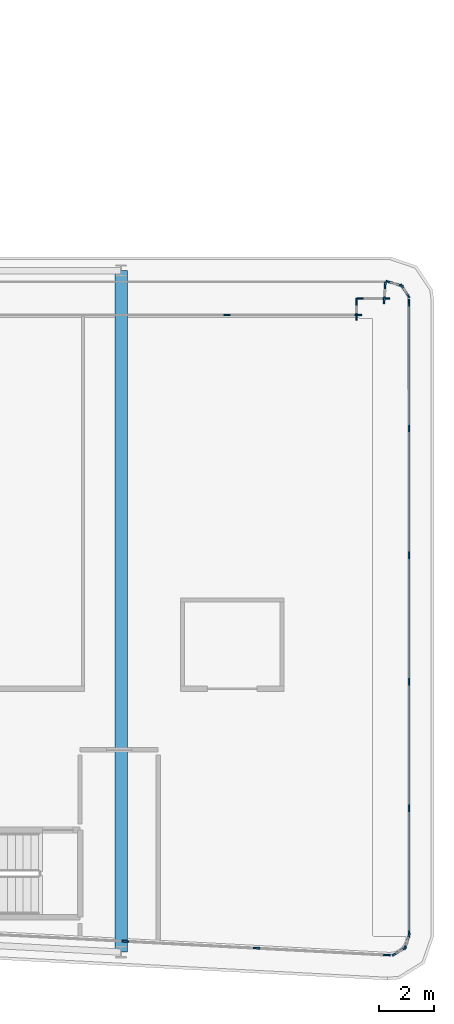
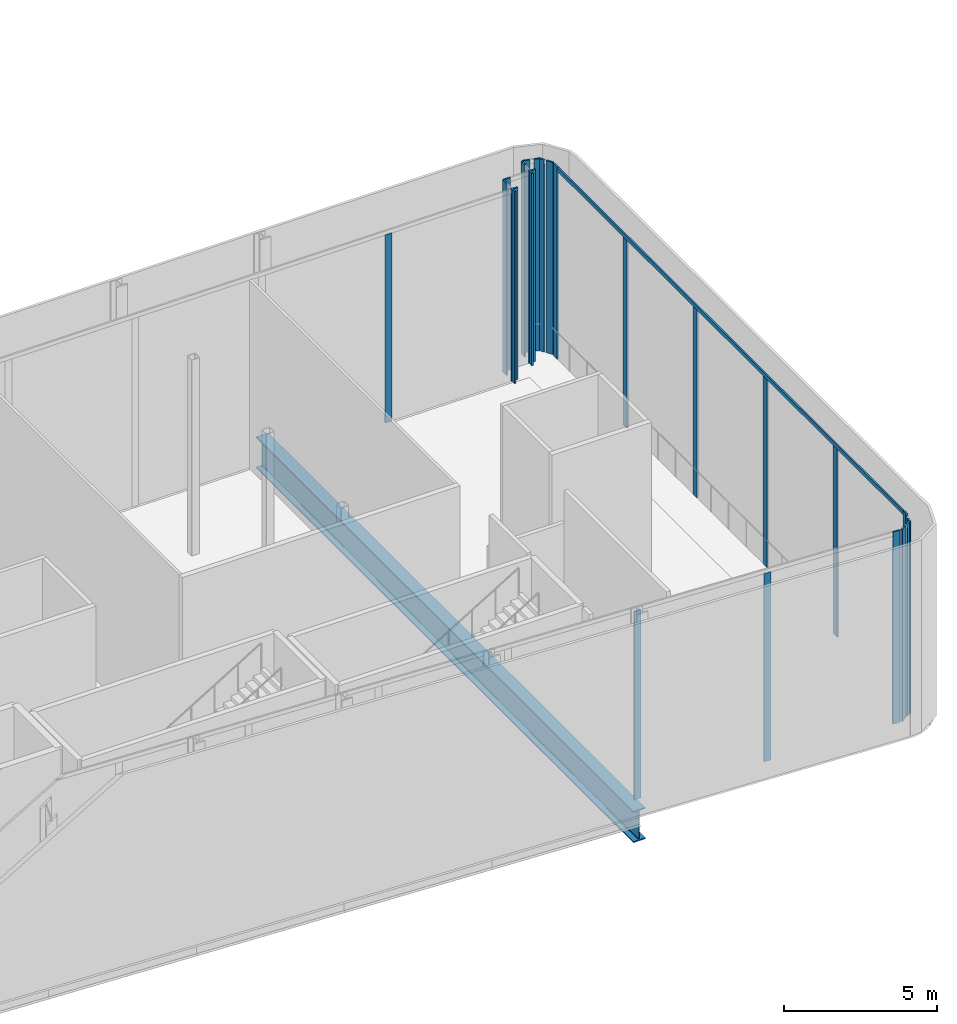
# One storey, part 17 of 37: 26 members, 1 beam, 10 elements without a shape of their own.
"""IFC4 building model written with IfcOpenShell, lengths in metres."""

from ifc_helpers import new_model, si_unit, direction, frame, origin, origin_2d, place, context, subcontext, project, spatial, rectangle, i_section, extrude, material, layer, layer_set, material_profile, profile_set, type_object, element, aggregate, save


model = new_model("IFC4")

# Units and contexts
model_context = context("Model", 3, precision=1e-05, world=origin(), true_north=direction((0.0, 1.0)))
body_context = subcontext(model_context, "Body", "Model", "MODEL_VIEW")
ifc_project = project(units=[si_unit("LENGTHUNIT", "METRE"), si_unit("AREAUNIT", "SQUARE_METRE"), si_unit("VOLUMEUNIT", "CUBIC_METRE"), si_unit("PLANEANGLEUNIT", "RADIAN"), si_unit("MASSUNIT", "GRAM", prefix="KILO")], contexts=[model_context])

# Site, building, storey
site_placement = place(None, origin())
site = spatial("IfcSite", under=ifc_project, at=site_placement, CompositionType="ELEMENT")
building_placement = place(site_placement, origin())
building = spatial("IfcBuilding", under=site, at=building_placement, Name="Kheshtan School and Residences Tower", CompositionType="ELEMENT")
storey_placement = place(building_placement, frame((0.0, 0.0, 144.800048828125)))
storey = spatial("IfcBuildingStorey", under=building, at=storey_placement, Name="L34", CompositionType="ELEMENT", Elevation=144.800048828125)

# Curtain wall, members
ifc_material_1 = material(Name="Clear low-e glass in thermally broken aluminium frame", Category="aluminium")
ifc_layer_1 = layer(ifc_material_1, 0.25)
ifc_layer_set_1 = layer_set([ifc_layer_1], Name="Curtain wall CW-G")
curtain_wall_type_1 = type_object("IfcCurtainWallType", Name="Curtain wall CW-G", PredefinedType="NOTDEFINED", material=ifc_layer_set_1)
curtain_wall_1_placement = place(storey_placement, origin())
curtain_wall_1 = element("IfcCurtainWall", 1, at=curtain_wall_1_placement, inside=storey, type_object=curtain_wall_type_1, Name="Curtain wall CWG5a", PredefinedType="NOTDEFINED")
ifc_material_2 = material(Name="Thermally broken aluminium, dark bronze anodised", Category="aluminium")
ifc_material_profile_1 = material_profile(ifc_material_2, rectangle(XDim=0.06005859375, YDim=0.25, at=origin_2d()), Name="CW-G mullion 60x250")
ifc_profile_set_1 = profile_set([ifc_material_profile_1], Name="Thermally broken aluminium, dark bronze anodised")
member_type_1 = type_object("IfcMemberType", Name="CW-G mullion 60x250", PredefinedType="MULLION", material=ifc_profile_set_1)
member_1_placement = place(storey_placement, frame((94.6259765625, 44.0, 0.0), z_axis=(0.0, 0.0, 1.0), x_axis=(0.0, 1.0, 0.0)))
member_1 = element("IfcMember", 2, at=member_1_placement, type_object=member_type_1, Name="CWG5a mullion 5", PredefinedType="MULLION", context=body_context, shape_type="SweptSolid", body=[
    extrude(rectangle(XDim=0.06005859375, YDim=0.25, at=origin_2d()), origin(), (0.0, 0.0, 1.0), 7.489990234375),
])
member_2_placement = place(storey_placement, frame((99.3701171875, 44.0, 0.0), z_axis=(0.0, 0.0, 1.0), x_axis=(0.0, 1.0, 0.0)))
member_2 = element("IfcMember", 3, at=member_2_placement, type_object=member_type_1, Name="CWG5a mullion 6", PredefinedType="MULLION", context=body_context, shape_type="SweptSolid", body=[
    extrude(rectangle(XDim=0.06005859375, YDim=0.25, at=origin_2d()), origin(), (0.0, 0.0, 1.0), 7.64990234375),
])
aggregate(curtain_wall_1, [member_1, member_2])

ifc_layer_2 = layer(ifc_material_1, 0.25)
ifc_layer_set_2 = layer_set([ifc_layer_2], Name="Curtain wall CW-K")
curtain_wall_type_2 = type_object("IfcCurtainWallType", Name="Curtain wall CW-K", PredefinedType="NOTDEFINED", material=ifc_layer_set_2)
curtain_wall_2_placement = place(storey_placement, origin())
curtain_wall_2 = element("IfcCurtainWall", 4, at=curtain_wall_2_placement, inside=storey, type_object=curtain_wall_type_2, Name="Curtain wall CWK6", PredefinedType="NOTDEFINED")
ifc_material_profile_2 = material_profile(ifc_material_2, rectangle(XDim=0.06005859375, YDim=0.25, at=origin_2d()), Name="CW-K mullion 60x250")
ifc_profile_set_2 = profile_set([ifc_material_profile_2], Name="Thermally broken aluminium, dark bronze anodised")
member_type_2 = type_object("IfcMemberType", Name="CW-K mullion 60x250", PredefinedType="MULLION", material=ifc_profile_set_2)
member_3_placement = place(storey_placement, frame((99.300048828125, 43.929931640625, 0.0), z_axis=(0.0, 0.0, 1.0), x_axis=(-1.0, 0.0, 0.0)))
member_3 = element("IfcMember", 5, at=member_3_placement, type_object=member_type_2, Name="CWK6 mullion 1", PredefinedType="MULLION", context=body_context, shape_type="SweptSolid", body=[
    extrude(rectangle(XDim=0.06005859375, YDim=0.25, at=origin_2d()), origin(), (0.0, 0.0, 1.0), 7.64990234375),
])
member_4_placement = place(storey_placement, frame((99.300048828125, 44.469970703125, 0.0), z_axis=(0.0, 0.0, 1.0), x_axis=(-1.0, 0.0, 0.0)))
member_4 = element("IfcMember", 6, at=member_4_placement, type_object=member_type_2, Name="CWK6 mullion 2", PredefinedType="MULLION", context=body_context, shape_type="SweptSolid", body=[
    extrude(rectangle(XDim=0.06005859375, YDim=0.25, at=origin_2d()), origin(), (0.0, 0.0, 1.0), 7.64990234375),
])
aggregate(curtain_wall_2, [member_3, member_4])

curtain_wall_3_placement = place(storey_placement, origin())
curtain_wall_3 = element("IfcCurtainWall", 7, at=curtain_wall_3_placement, inside=storey, type_object=curtain_wall_type_2, Name="Curtain wall CWK7", PredefinedType="NOTDEFINED")
member_5_placement = place(storey_placement, frame((99.429931640625, 44.60009765625, 0.0), z_axis=(0.0, 0.0, 1.0), x_axis=(0.0, 1.0, 0.0)))
member_5 = element("IfcMember", 8, at=member_5_placement, type_object=member_type_2, Name="CWK7 mullion 1", PredefinedType="MULLION", context=body_context, shape_type="SweptSolid", body=[
    extrude(rectangle(XDim=0.06005859375, YDim=0.25, at=origin_2d()), origin(), (0.0, 0.0, 1.0), 7.64990234375),
])
member_6_placement = place(storey_placement, frame((100.37109375, 44.60009765625, 0.0), z_axis=(0.0, 0.0, 1.0), x_axis=(0.0, 1.0, 0.0)))
member_6 = element("IfcMember", 9, at=member_6_placement, type_object=member_type_2, Name="CWK7 mullion 2", PredefinedType="MULLION", context=body_context, shape_type="SweptSolid", body=[
    extrude(rectangle(XDim=0.06005859375, YDim=0.25, at=origin_2d()), origin(), (0.0, 0.0, 1.0), 7.64990234375),
])
aggregate(curtain_wall_3, [member_5, member_6])

curtain_wall_4_placement = place(storey_placement, origin())
curtain_wall_4 = element("IfcCurtainWall", 10, at=curtain_wall_4_placement, inside=storey, type_object=curtain_wall_type_2, Name="Curtain wall CWK8", PredefinedType="NOTDEFINED")
member_7_placement = place(storey_placement, frame((100.30322265625, 44.536376953125, 0.0), z_axis=(0.0, 0.0, 1.0), x_axis=(-0.997894170503, 0.06486312108, 0.0)))
member_7 = element("IfcMember", 11, at=member_7_placement, type_object=member_type_2, Name="CWK8 mullion 1", PredefinedType="MULLION", context=body_context, shape_type="SweptSolid", body=[
    extrude(rectangle(XDim=0.06005859375, YDim=0.25, at=origin_2d()), origin(), (0.0, 0.0, 1.0), 7.64990234375),
])
member_8_placement = place(storey_placement, frame((100.33837890625, 45.07666015625, 0.0), z_axis=(0.0, 0.0, 1.0), x_axis=(-0.997894170503, 0.06486312108, 0.0)))
member_8 = element("IfcMember", 12, at=member_8_placement, type_object=member_type_2, Name="CWK8 mullion 2", PredefinedType="MULLION", context=body_context, shape_type="SweptSolid", body=[
    extrude(rectangle(XDim=0.06005859375, YDim=0.25, at=origin_2d()), origin(), (0.0, 0.0, 1.0), 7.64990234375),
])
aggregate(curtain_wall_4, [member_7, member_8])

curtain_wall_5_placement = place(storey_placement, origin())
curtain_wall_5 = element("IfcCurtainWall", 13, at=curtain_wall_5_placement, inside=storey, type_object=curtain_wall_type_2, Name="Curtain wall CWK9", PredefinedType="NOTDEFINED")
member_9_placement = place(storey_placement, frame((100.4970703125, 45.187255859375, 0.0), z_axis=(0.0, 0.0, 1.0), x_axis=(0.284241942661, 0.958752584368, 0.0)))
member_9 = element("IfcMember", 14, at=member_9_placement, type_object=member_type_2, Name="CWK9 mullion 1", PredefinedType="MULLION", context=body_context, shape_type="SweptSolid", body=[
    extrude(rectangle(XDim=0.06005859375, YDim=0.25, at=origin_2d()), origin(), (0.0, 0.0, 1.0), 7.64990234375),
])
member_10_placement = place(storey_placement, frame((100.86474609375, 45.078369140625, 0.0), z_axis=(0.0, 0.0, 1.0), x_axis=(0.284241942661, 0.958752584368, 0.0)))
member_10 = element("IfcMember", 15, at=member_10_placement, type_object=member_type_2, Name="CWK9 mullion 2", PredefinedType="MULLION", context=body_context, shape_type="SweptSolid", body=[
    extrude(rectangle(XDim=0.06005859375, YDim=0.25, at=origin_2d()), origin(), (0.0, 0.0, 1.0), 7.64990234375),
])
aggregate(curtain_wall_5, [member_9, member_10])

curtain_wall_6_placement = place(storey_placement, origin())
curtain_wall_6 = element("IfcCurtainWall", 16, at=curtain_wall_6_placement, inside=storey, type_object=curtain_wall_type_2, Name="Curtain wall CWK10", PredefinedType="NOTDEFINED")
member_11_placement = place(storey_placement, frame((100.96484375, 45.004638671875, 0.0), z_axis=(0.0, 0.0, 1.0), x_axis=(0.831648992198, 0.555301678168, 0.0)))
member_11 = element("IfcMember", 17, at=member_11_placement, type_object=member_type_2, Name="CWK10 mullion 1", PredefinedType="MULLION", context=body_context, shape_type="SweptSolid", body=[
    extrude(rectangle(XDim=0.06005859375, YDim=0.25, at=origin_2d()), origin(), (0.0, 0.0, 1.0), 7.64990234375),
])
member_12_placement = place(storey_placement, frame((101.14453125, 44.735595703125, 0.0), z_axis=(0.0, 0.0, 1.0), x_axis=(0.831648992198, 0.555301678168, 0.0)))
member_12 = element("IfcMember", 18, at=member_12_placement, type_object=member_type_2, Name="CWK10 mullion 2", PredefinedType="MULLION", context=body_context, shape_type="SweptSolid", body=[
    extrude(rectangle(XDim=0.06005859375, YDim=0.25, at=origin_2d()), origin(), (0.0, 0.0, 1.0), 7.64990234375),
])
aggregate(curtain_wall_6, [member_11, member_12])

curtain_wall_7_placement = place(storey_placement, origin())
curtain_wall_7 = element("IfcCurtainWall", 19, at=curtain_wall_7_placement, inside=storey, type_object=curtain_wall_type_2, Name="Curtain wall CWK11", PredefinedType="NOTDEFINED")
member_13_placement = place(storey_placement, frame((101.199951171875, 44.43994140625, 0.0), z_axis=(0.0, 0.0, 1.0), x_axis=(1.0, 0.0, 0.0)))
member_13 = element("IfcMember", 20, at=member_13_placement, type_object=member_type_2, Name="CWK11 mullion 1", PredefinedType="MULLION", context=body_context, shape_type="SweptSolid", body=[
    extrude(rectangle(XDim=0.06005859375, YDim=0.25, at=origin_2d()), origin(), (0.0, 0.0, 1.0), 7.64990234375),
])
member_14_placement = place(storey_placement, frame((101.199951171875, 39.8984375, 0.0), z_axis=(0.0, 0.0, 1.0), x_axis=(1.0, 0.0, 0.0)))
member_14 = element("IfcMember", 21, at=member_14_placement, type_object=member_type_2, Name="CWK11 mullion 2", PredefinedType="MULLION", context=body_context, shape_type="SweptSolid", body=[
    extrude(rectangle(XDim=0.06005859375, YDim=0.25, at=origin_2d()), origin(), (0.0, 0.0, 1.0), 7.489990234375),
])
member_15_placement = place(storey_placement, frame((101.199951171875, 35.326904296875, 0.0), z_axis=(0.0, 0.0, 1.0), x_axis=(1.0, 0.0, 0.0)))
member_15 = element("IfcMember", 22, at=member_15_placement, type_object=member_type_2, Name="CWK11 mullion 3", PredefinedType="MULLION", context=body_context, shape_type="SweptSolid", body=[
    extrude(rectangle(XDim=0.06005859375, YDim=0.25, at=origin_2d()), origin(), (0.0, 0.0, 1.0), 7.489990234375),
])
member_16_placement = place(storey_placement, frame((101.199951171875, 30.755126953125, 0.0), z_axis=(0.0, 0.0, 1.0), x_axis=(1.0, 0.0, 0.0)))
member_16 = element("IfcMember", 23, at=member_16_placement, type_object=member_type_2, Name="CWK11 mullion 4", PredefinedType="MULLION", context=body_context, shape_type="SweptSolid", body=[
    extrude(rectangle(XDim=0.06005859375, YDim=0.25, at=origin_2d()), origin(), (0.0, 0.0, 1.0), 7.489990234375),
])
member_17_placement = place(storey_placement, frame((101.199951171875, 26.18359375, 0.0), z_axis=(0.0, 0.0, 1.0), x_axis=(1.0, 0.0, 0.0)))
member_17 = element("IfcMember", 24, at=member_17_placement, type_object=member_type_2, Name="CWK11 mullion 5", PredefinedType="MULLION", context=body_context, shape_type="SweptSolid", body=[
    extrude(rectangle(XDim=0.06005859375, YDim=0.25, at=origin_2d()), origin(), (0.0, 0.0, 1.0), 7.489990234375),
])
member_18_placement = place(storey_placement, frame((101.199951171875, 21.64208984375, 0.0), z_axis=(0.0, 0.0, 1.0), x_axis=(1.0, 0.0, 0.0)))
member_18 = element("IfcMember", 25, at=member_18_placement, type_object=member_type_2, Name="CWK11 mullion 6", PredefinedType="MULLION", context=body_context, shape_type="SweptSolid", body=[
    extrude(rectangle(XDim=0.06005859375, YDim=0.25, at=origin_2d()), origin(), (0.0, 0.0, 1.0), 7.64990234375),
])

curtain_wall_8_placement = place(storey_placement, origin())
curtain_wall_8 = element("IfcCurtainWall", 26, at=curtain_wall_8_placement, inside=storey, type_object=curtain_wall_type_2, Name="Curtain wall CWK12", PredefinedType="NOTDEFINED")
member_19_placement = place(storey_placement, frame((101.185791015625, 21.552490234375, 0.0), z_axis=(0.0, 0.0, 1.0), x_axis=(0.950548766961, -0.310575339699, 0.0)))
member_19 = element("IfcMember", 27, at=member_19_placement, type_object=member_type_2, Name="CWK12 mullion 1", PredefinedType="MULLION", context=body_context, shape_type="SweptSolid", body=[
    extrude(rectangle(XDim=0.06005859375, YDim=0.25, at=origin_2d()), origin(), (0.0, 0.0, 1.0), 7.64990234375),
])
member_20_placement = place(storey_placement, frame((101.072265625, 21.20556640625, 0.0), z_axis=(0.0, 0.0, 1.0), x_axis=(0.950548766961, -0.310575339699, 0.0)))
member_20 = element("IfcMember", 28, at=member_20_placement, type_object=member_type_2, Name="CWK12 mullion 2", PredefinedType="MULLION", context=body_context, shape_type="SweptSolid", body=[
    extrude(rectangle(XDim=0.06005859375, YDim=0.25, at=origin_2d()), origin(), (0.0, 0.0, 1.0), 7.64990234375),
])
aggregate(curtain_wall_8, [member_19, member_20])

curtain_wall_9_placement = place(storey_placement, origin())
curtain_wall_9 = element("IfcCurtainWall", 29, at=curtain_wall_9_placement, inside=storey, type_object=curtain_wall_type_2, Name="Curtain wall CWK13", PredefinedType="NOTDEFINED")
member_21_placement = place(storey_placement, frame((100.995361328125, 21.107177734375, 0.0), z_axis=(0.0, 0.0, 1.0), x_axis=(0.527300652118, -0.849678775936, 0.0)))
member_21 = element("IfcMember", 30, at=member_21_placement, type_object=member_type_2, Name="CWK13 mullion 1", PredefinedType="MULLION", context=body_context, shape_type="SweptSolid", body=[
    extrude(rectangle(XDim=0.06005859375, YDim=0.25, at=origin_2d()), origin(), (0.0, 0.0, 1.0), 7.64990234375),
])
member_22_placement = place(storey_placement, frame((100.706298828125, 20.927734375, 0.0), z_axis=(0.0, 0.0, 1.0), x_axis=(0.527300652118, -0.849678775936, 0.0)))
member_22 = element("IfcMember", 31, at=member_22_placement, type_object=member_type_2, Name="CWK13 mullion 2", PredefinedType="MULLION", context=body_context, shape_type="SweptSolid", body=[
    extrude(rectangle(XDim=0.06005859375, YDim=0.25, at=origin_2d()), origin(), (0.0, 0.0, 1.0), 7.64990234375),
])
aggregate(curtain_wall_9, [member_21, member_22])

curtain_wall_10_placement = place(storey_placement, origin())
curtain_wall_10 = element("IfcCurtainWall", 32, at=curtain_wall_10_placement, inside=storey, type_object=curtain_wall_type_2, Name="Curtain wall CWK14", PredefinedType="NOTDEFINED")
member_23_placement = place(storey_placement, frame((100.40283203125, 20.884765625, 0.0), z_axis=(0.0, 0.0, 1.0), x_axis=(-0.052569888839, -0.998617247391, 0.0)))
member_23 = element("IfcMember", 33, at=member_23_placement, type_object=member_type_2, Name="CWK14 mullion 1", PredefinedType="MULLION", context=body_context, shape_type="SweptSolid", body=[
    extrude(rectangle(XDim=0.06005859375, YDim=0.25, at=origin_2d()), origin(), (0.0, 0.0, 1.0), 7.64990234375),
])
member_24_placement = place(storey_placement, frame((95.69189453125, 21.1328125, 0.0), z_axis=(0.0, 0.0, 1.0), x_axis=(-0.052569888839, -0.998617247391, 0.0)))
member_24 = element("IfcMember", 34, at=member_24_placement, type_object=member_type_2, Name="CWK14 mullion 2", PredefinedType="MULLION", context=body_context, shape_type="SweptSolid", body=[
    extrude(rectangle(XDim=0.06005859375, YDim=0.25, at=origin_2d()), origin(), (0.0, 0.0, 1.0), 7.489990234375),
])
member_25_placement = place(storey_placement, frame((90.950927734375, 21.38232421875, 0.0), z_axis=(0.0, 0.0, 1.0), x_axis=(-0.052569888839, -0.998617247391, 0.0)))
member_25 = element("IfcMember", 35, at=member_25_placement, type_object=member_type_2, Name="CWK14 mullion 3", PredefinedType="MULLION", context=body_context, shape_type="SweptSolid", body=[
    extrude(rectangle(XDim=0.06005859375, YDim=0.25, at=origin_2d()), origin(), (0.0, 0.0, 1.0), 7.489990234375),
])
aggregate(curtain_wall_10, [member_23, member_24, member_25])

# Member
ifc_material_profile_3 = material_profile(ifc_material_2, rectangle(XDim=0.06005859375, YDim=0.159912109375, at=origin_2d()), Name="CW-K transom 60x160")
ifc_profile_set_3 = profile_set([ifc_material_profile_3], Name="Thermally broken aluminium, dark bronze anodised")
member_type_3 = type_object("IfcMemberType", Name="CW-K transom 60x160", PredefinedType="USERDEFINED", material=ifc_profile_set_3)
member_26_placement = place(storey_placement, frame((101.199951171875, 44.409912109375, 7.570068359375), z_axis=(0.0, -1.0, 0.0), x_axis=(1.0, 0.0, 0.0)))
member_26 = element("IfcMember", 36, at=member_26_placement, type_object=member_type_3, Name="CWK11 transom 1", ObjectType="TRANSOM", PredefinedType="USERDEFINED", context=body_context, shape_type="SweptSolid", body=[
    extrude(rectangle(XDim=0.06005859375, YDim=0.159912109375, at=origin_2d()), origin(), (0.0, 0.0, 1.0), 22.73779296875),
])

aggregate(curtain_wall_7, [member_13, member_14, member_15, member_16, member_17, member_18, member_26])

# Beam
ifc_material_3 = material(Name="Steel ASTM A992 Grade 50", Category="steel")
ifc_material_profile_4 = material_profile(ifc_material_3, i_section(OverallWidth=0.449951171875, OverallDepth=1.25, WebThickness=0.02490234375, FlangeThickness=0.044921875, FilletRadius=0.03759765625, at=origin_2d()), Name="WWF1250x546")
ifc_profile_set_4 = profile_set([ifc_material_profile_4], Name="Steel ASTM A992 Grade 50")
beam_type = type_object("IfcBeamType", Name="Transfer girder TG4 WWF1250x546 ASTM A992 Grade 50", PredefinedType="BEAM", material=ifc_profile_set_4)
beam_placement = place(storey_placement, frame((90.800048828125, 45.60009765625, -0.775146484375), z_axis=(0.0, -1.0, 0.0), x_axis=(1.0, 0.0, 0.0)))
element("IfcBeam", 37, at=beam_placement, inside=storey, type_object=beam_type, Name="Transfer girder C068-C006", PredefinedType="BEAM", context=body_context, shape_type="SweptSolid", body=[
    extrude(i_section(OverallWidth=0.449951171875, OverallDepth=1.25, WebThickness=0.02490234375, FlangeThickness=0.044921875, FilletRadius=0.03759765625, at=origin_2d()), origin(), (0.0, 0.0, 1.0), 24.610107421875),
])

save(model, "model.ifc")
